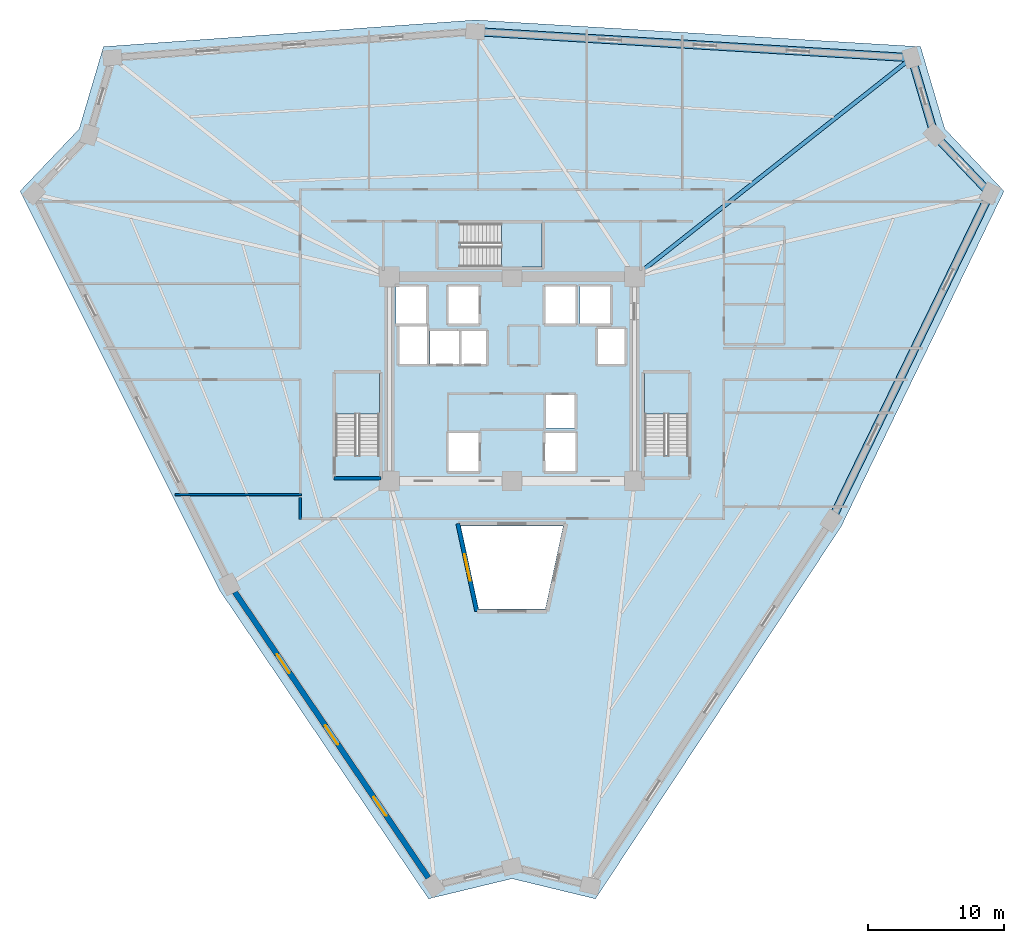
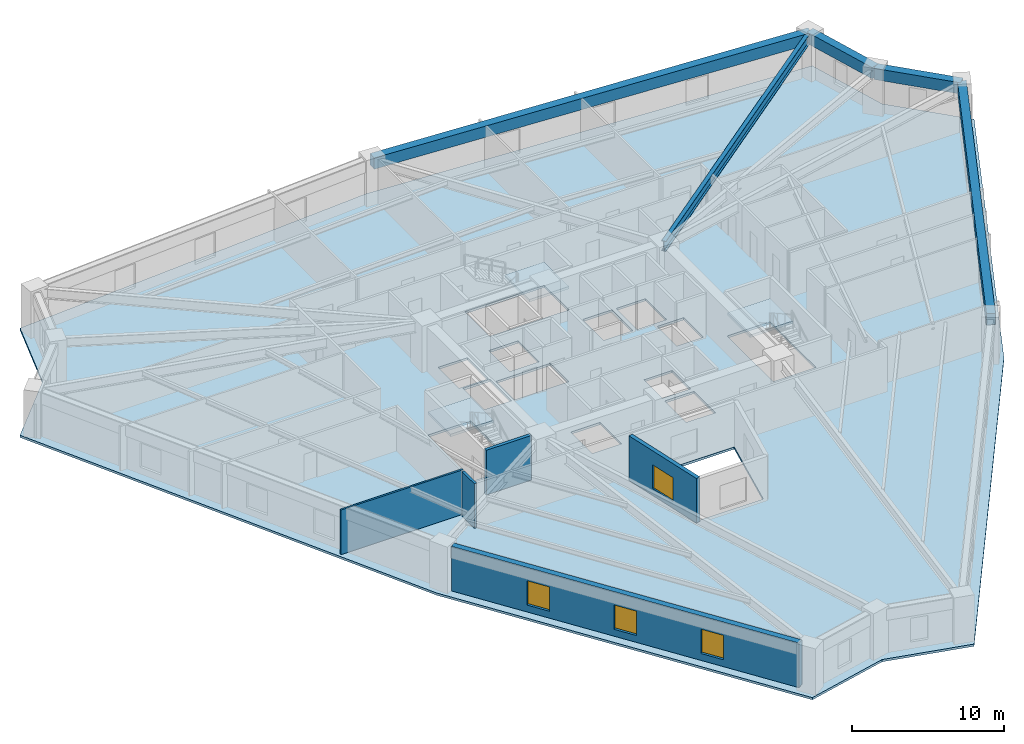
# One storey, part 2 of 8: 5 beams, 5 walls, 4 slabs, 4 windows, 4 openings, 3 elements without a shape of their own.
"""IFC4 building model written with IfcOpenShell, lengths in metres."""

import ifcopenshell
import ifcopenshell.guid

model = None  # the IFC model being written
_history = None  # IfcOwnerHistory: only IFC2X3 demands one
_inside = {}  # id of a spatial element -> (the spatial element, [elements in it])
_under = {}  # id of a project, library or spatial element -> (it, [spatial elements below it])
_declared = {}  # id of a project -> (the project, [libraries it declares])
_typed = {}  # id of a type object -> (the type object, [elements of that type])
_made_of = {}  # id of a material, layer set ... -> (it, [elements and type objects made of it])


def new_model(schema):
    """Start an empty IFC model of exactly this schema.

    Asked for "IFC4X3", IfcOpenShell would pick the latest addendum, in which some entities
    have other attributes; the version numbers below select the first issue.
    IFC2X3 requires an IfcOwnerHistory on every rooted entity: one is made here for all.
    """
    global model, _history
    if schema == "IFC4X3":
        model = ifcopenshell.file(schema_version=(4, 3, 0, 0))
    else:
        model = ifcopenshell.file(schema=schema)
    _inside.clear()
    _under.clear()
    _declared.clear()
    _typed.clear()
    _made_of.clear()
    _history = None
    if model.schema == "IFC2X3":
        org = make("IfcOrganization", Name="unknown")
        user = make(
            "IfcPersonAndOrganization",
            ThePerson=make("IfcPerson", FamilyName="unknown"),
            TheOrganization=org,
        )
        app = make(
            "IfcApplication",
            ApplicationDeveloper=org,
            Version="unknown",
            ApplicationFullName="unknown",
            ApplicationIdentifier="unknown",
        )
        _history = make(
            "IfcOwnerHistory",
            OwningUser=user,
            OwningApplication=app,
            ChangeAction="ADDED",
            CreationDate=0,
        )
    return model


def make(cls, **values):
    """One entity of the class cls with the attributes given. An attribute that is None is left unset."""
    return model.create_entity(
        cls, **{name: value for name, value in values.items() if value is not None}
    )


def rooted(cls, **values):
    """An entity with a GlobalId (a new one), such as an element, a storey or a relation."""
    return make(cls, GlobalId=ifcopenshell.guid.new(), OwnerHistory=_history, **values)


def si_unit(unit_type, name, prefix=None):
    """IfcSIUnit, for example si_unit("LENGTHUNIT", "METRE", prefix="MILLI")."""
    return make("IfcSIUnit", UnitType=unit_type, Prefix=prefix, Name=name)


def assignment(units):
    """IfcUnitAssignment: the units of a project."""
    return None if units is None else make("IfcUnitAssignment", Units=units)


def point(xyz):
    """IfcCartesianPoint."""
    return None if xyz is None else make("IfcCartesianPoint", Coordinates=xyz)


def direction(xyz):
    """IfcDirection."""
    return None if xyz is None else make("IfcDirection", DirectionRatios=xyz)


def frame(location, z_axis=None, x_axis=None):
    """IfcAxis2Placement3D, a coordinate frame: its origin and axes. An axis left out is left unset."""
    return make(
        "IfcAxis2Placement3D",
        Location=point(location),
        Axis=direction(z_axis),
        RefDirection=direction(x_axis),
    )


def frame_2d(location, x_axis=None):
    """IfcAxis2Placement2D, a coordinate frame in the plane: its origin and x axis."""
    return make(
        "IfcAxis2Placement2D", Location=point(location), RefDirection=direction(x_axis)
    )


def origin():
    """The frame at (0, 0, 0) with its axes left unset."""
    return frame((0.0, 0.0, 0.0))


def origin_2d():
    """The frame at (0, 0) in the plane with its x axis left unset."""
    return frame_2d((0.0, 0.0))


def place(relative_to, where):
    """IfcLocalPlacement: puts the frame where relative to a parent placement (None: the world)."""
    return make(
        "IfcLocalPlacement", PlacementRelTo=relative_to, RelativePlacement=where
    )


def context(
    kind, dimensions, precision=None, world=None, true_north=None, identifier=None
):
    """IfcGeometricRepresentationContext, for example the 3D "Model" context."""
    return make(
        "IfcGeometricRepresentationContext",
        ContextIdentifier=identifier,
        ContextType=kind,
        CoordinateSpaceDimension=dimensions,
        Precision=precision,
        WorldCoordinateSystem=world,
        TrueNorth=true_north,
    )


def subcontext(parent, identifier, kind, view, scale=None):
    """IfcGeometricRepresentationSubContext, for example "Body" below "Model"."""
    return make(
        "IfcGeometricRepresentationSubContext",
        ContextIdentifier=identifier,
        ContextType=kind,
        ParentContext=parent,
        TargetScale=scale,
        TargetView=view,
    )


def project(units=None, contexts=None):
    """IfcProject with its units and contexts."""
    return rooted(
        "IfcProject",
        Name="project",
        RepresentationContexts=contexts,
        UnitsInContext=assignment(units),
    )


def spatial(cls, under=None, at=None, **own):
    """A site, building, storey or space (cls), placed at a placement, below another one or the project."""
    s = rooted(cls, ObjectPlacement=at, **own)
    if under is not None:
        _under.setdefault(under.id(), (under, []))[1].append(s)
    return s


def polyline(points):
    """IfcPolyline through the points."""
    return make("IfcPolyline", Points=[point(p) for p in points])


def profile(cls, at=None, kind="AREA", **sizes):
    """A parametric profile (cls). Its sizes go by their IFC names, for example OverallWidth=200.0."""
    return make(cls, ProfileType=kind, Position=at, **sizes)


def rectangle(**sizes):
    """IfcRectangleProfileDef."""
    return profile("IfcRectangleProfileDef", **sizes)


def i_section(**sizes):
    """IfcIShapeProfileDef."""
    return profile("IfcIShapeProfileDef", **sizes)


def outline(outer, holes=None, kind="AREA"):
    """IfcArbitraryClosedProfileDef: a profile drawn as a closed curve; with holes, ...WithVoids."""
    if holes is None:
        return make("IfcArbitraryClosedProfileDef", ProfileType=kind, OuterCurve=outer)
    return make(
        "IfcArbitraryProfileDefWithVoids",
        ProfileType=kind,
        OuterCurve=outer,
        InnerCurves=holes,
    )


def extrude(swept, where, along, depth):
    """IfcExtrudedAreaSolid: the profile swept, set in the frame where, extruded along a direction by depth."""
    return make(
        "IfcExtrudedAreaSolid",
        SweptArea=swept,
        Position=where,
        ExtrudedDirection=direction(along),
        Depth=depth,
    )


def shape(context_of_items, identifier, shape_type, items):
    """IfcShapeRepresentation: the items that make up one representation, for example the "Body"."""
    return make(
        "IfcShapeRepresentation",
        ContextOfItems=context_of_items,
        RepresentationIdentifier=identifier,
        RepresentationType=shape_type,
        Items=items,
    )


def source(mapping_origin, context_of_items, identifier, shape_type, items):
    """IfcRepresentationMap: a shape defined once, which mapped items show again and again."""
    return make(
        "IfcRepresentationMap",
        MappingOrigin=mapping_origin,
        MappedRepresentation=shape(context_of_items, identifier, shape_type, items),
    )


def transform(
    local_origin,
    x_axis=None,
    y_axis=None,
    z_axis=None,
    scale=None,
    scale2=None,
    scale3=None,
    uniform=True,
):
    """IfcCartesianTransformationOperator3D, or its non-uniform kind. x_axis, y_axis, z_axis: its Axis1, 2, 3."""
    if uniform:
        return make(
            "IfcCartesianTransformationOperator3D",
            Axis1=direction(x_axis),
            Axis2=direction(y_axis),
            LocalOrigin=point(local_origin),
            Scale=scale,
            Axis3=direction(z_axis),
        )
    return make(
        "IfcCartesianTransformationOperator3DnonUniform",
        Axis1=direction(x_axis),
        Axis2=direction(y_axis),
        LocalOrigin=point(local_origin),
        Scale=scale,
        Axis3=direction(z_axis),
        Scale2=scale2,
        Scale3=scale3,
    )


def mapped(mapping_source, mapping_target):
    """IfcMappedItem: shows the shape of a source again, moved by a transform."""
    return make(
        "IfcMappedItem", MappingSource=mapping_source, MappingTarget=mapping_target
    )


def material(Name=None, Category=None):
    """IfcMaterial."""
    return make("IfcMaterial", Name=Name, Category=Category)


def layer(
    of_material, thickness, ventilated=None, Name=None, Category=None, Priority=None
):
    """IfcMaterialLayer: one layer of a wall or slab, of a material (None: an air gap)."""
    return make(
        "IfcMaterialLayer",
        Material=of_material,
        LayerThickness=thickness,
        IsVentilated=ventilated,
        Name=Name,
        Category=Category,
        Priority=Priority,
    )


def layer_set(layers, Name=None):
    """IfcMaterialLayerSet."""
    return make("IfcMaterialLayerSet", MaterialLayers=layers, LayerSetName=Name)


def material_profile(
    of_material, cross_section, Name=None, Category=None, Priority=None
):
    """IfcMaterialProfile: a cross section and its material."""
    return make(
        "IfcMaterialProfile",
        Name=Name,
        Material=of_material,
        Profile=cross_section,
        Priority=Priority,
        Category=Category,
    )


def profile_set(profiles, Name=None, composite=None):
    """IfcMaterialProfileSet."""
    return make(
        "IfcMaterialProfileSet",
        Name=Name,
        MaterialProfiles=profiles,
        CompositeProfile=composite,
    )


def made_of(thing, what):
    """Note that an element or type object is made of a material, layer set ...; save() writes the relation."""
    if what is not None:
        _made_of.setdefault(what.id(), (what, []))[1].append(thing)
    return thing


def type_object(cls, material=None, **own):
    """A type object (cls), such as IfcWallType, which elements share."""
    return made_of(rooted(cls, **own), material)


def element(
    cls,
    number,
    at=None,
    inside=None,
    cuts=None,
    type_object=None,
    material=None,
    context=None,
    identifier="Body",
    shape_type=None,
    held_by="IfcProductDefinitionShape",
    body=None,
    shapes=None,
    **own,
):
    """One element of the class cls, such as IfcWall. Its Tag is "e" and its number.

    at: its placement. inside: the storey or other place that contains it. cuts: it is an
    opening in that element (IfcRelVoidsElement). A single representation is given by context,
    identifier, shape_type and body (its items); several are given by shapes. held_by: the class
    of the entity that holds the representations. save() writes the other relations.
    """
    e = rooted(cls, Tag="e%d" % number, ObjectPlacement=at, **own)
    if body is not None:
        shapes = [shape(context, identifier, shape_type, body)]
    if shapes is not None:
        e.Representation = make(held_by, Representations=shapes)
    if inside is not None:
        _inside.setdefault(inside.id(), (inside, []))[1].append(e)
    if cuts is not None:
        rooted(
            "IfcRelVoidsElement", RelatingBuildingElement=cuts, RelatedOpeningElement=e
        )
    if type_object is not None:
        _typed.setdefault(type_object.id(), (type_object, []))[1].append(e)
    return made_of(e, material)


def fill(opening, filler):
    """IfcRelFillsElement: the door or window that sits in an opening."""
    return rooted(
        "IfcRelFillsElement",
        RelatingOpeningElement=opening,
        RelatedBuildingElement=filler,
    )


def aggregate(whole, parts):
    """IfcRelAggregates: a whole, such as a stair, and the parts it consists of."""
    return rooted("IfcRelAggregates", RelatingObject=whole, RelatedObjects=parts)


def save(model, path):
    """Write the relations noted so far, then the file.

    IfcRelAggregates (storeys below a building ...), IfcRelContainedInSpatialStructure (elements
    in a storey), IfcRelDefinesByType, IfcRelAssociatesMaterial and IfcRelDeclares: one each for
    every whole, place, type object, material and project.
    """
    for whole, parts in _under.values():
        aggregate(whole, parts)
    for where, things in _inside.values():
        rooted(
            "IfcRelContainedInSpatialStructure",
            RelatedElements=things,
            RelatingStructure=where,
        )
    for kind, things in _typed.values():
        rooted("IfcRelDefinesByType", RelatedObjects=things, RelatingType=kind)
    for what, things in _made_of.values():
        rooted("IfcRelAssociatesMaterial", RelatedObjects=things, RelatingMaterial=what)
    for by, libraries in _declared.values():
        rooted("IfcRelDeclares", RelatingContext=by, RelatedDefinitions=libraries)
    model.write(path)


model = new_model("IFC4")

# Units and contexts
model_context = context("Model", 3, precision=1e-05, world=origin(), true_north=direction((0.0, 1.0)))
body_context = subcontext(model_context, "Body", "Model", "MODEL_VIEW")
ifc_project = project(units=[si_unit("LENGTHUNIT", "METRE"), si_unit("AREAUNIT", "SQUARE_METRE"), si_unit("VOLUMEUNIT", "CUBIC_METRE"), si_unit("PLANEANGLEUNIT", "RADIAN"), si_unit("MASSUNIT", "GRAM", prefix="KILO")], contexts=[model_context])

# Site, building, storey
site_placement = place(None, origin())
site = spatial("IfcSite", under=ifc_project, at=site_placement, CompositionType="ELEMENT")
building_placement = place(site_placement, origin())
building = spatial("IfcBuilding", under=site, at=building_placement, Name="Liaohun Quay Tower", CompositionType="ELEMENT")
storey_placement = place(building_placement, frame((0.0, 0.0, 162.75)))
storey = spatial("IfcBuildingStorey", under=building, at=storey_placement, Name="L42", CompositionType="ELEMENT", Elevation=162.75)

# Beams
ifc_material_1 = material(Name="Precast concrete C55", Category="concrete")
ifc_material_profile_1 = material_profile(ifc_material_1, rectangle(XDim=0.60009765625, YDim=0.89990234375, at=origin_2d()), Name="RC600x900")
ifc_profile_set_1 = profile_set([ifc_material_profile_1], Name="Precast concrete C55")
beam_type_1 = type_object("IfcBeamType", Name="BM-SPD-Z2", PredefinedType="SPANDREL", material=ifc_profile_set_1)
shared_shape_1 = source(origin(), body_context, "Body", "SweptSolid", [
    extrude(rectangle(XDim=0.60009765625, YDim=0.89990234375, at=origin_2d()), origin(), (0.0, 0.0, 1.0), 32.109375),
])
beam_1_placement = place(storey_placement, frame((57.304931640625, 79.5048828125, 3.1201171875), z_axis=(0.998210795358, -0.059793043338, 0.0), x_axis=(0.059793043338, 0.998210795358, 0.0)))
element("IfcBeam", 1, at=beam_1_placement, inside=storey, type_object=beam_type_1, Name="L42 Precast Spandrel Beam PC06-PC07", PredefinedType="SPANDREL", context=body_context, shape_type="MappedRepresentation", body=[
    mapped(shared_shape_1, transform((0.0, 0.0, 0.0), x_axis=(1.0, 0.0, 0.0), y_axis=(0.0, 1.0, 0.0), z_axis=(0.0, 0.0, 1.0), scale=1.0)),
])
shared_shape_2 = source(origin(), body_context, "Body", "SweptSolid", [
    extrude(rectangle(XDim=0.60009765625, YDim=0.89990234375, at=origin_2d()), origin(), (0.0, 0.0, 1.0), 5.911376953125),
])
beam_2_placement = place(storey_placement, frame((89.35693359375, 77.5849609375, 3.1201171875), z_axis=(0.282866118906, -0.959159402172, 0.0), x_axis=(0.959159402172, 0.282866118906, 0.0)))
element("IfcBeam", 2, at=beam_2_placement, inside=storey, type_object=beam_type_1, Name="L42 Precast Spandrel Beam PC07-PC08", PredefinedType="SPANDREL", context=body_context, shape_type="MappedRepresentation", body=[
    mapped(shared_shape_2, transform((0.0, 0.0, 0.0), x_axis=(1.0, 0.0, 0.0), y_axis=(0.0, 1.0, 0.0), z_axis=(0.0, 0.0, 1.0), scale=1.0)),
])
shared_shape_3 = source(origin(), body_context, "Body", "SweptSolid", [
    extrude(rectangle(XDim=0.60009765625, YDim=0.89990234375, at=origin_2d()), origin(), (0.0, 0.0, 1.0), 5.92041015625),
])
beam_3_placement = place(storey_placement, frame((91.029052734375, 71.9150390625, 3.1201171875), z_axis=(0.689321474859, -0.724455591668, 0.0), x_axis=(0.724455591668, 0.689321474859, 0.0)))
element("IfcBeam", 3, at=beam_3_placement, inside=storey, type_object=beam_type_1, Name="L42 Precast Spandrel Beam PC08-PC09", PredefinedType="SPANDREL", context=body_context, shape_type="MappedRepresentation", body=[
    mapped(shared_shape_3, transform((0.0, 0.0, 0.0), x_axis=(1.0, 0.0, 0.0), y_axis=(0.0, 1.0, 0.0), z_axis=(0.0, 0.0, 1.0), scale=1.0)),
])
shared_shape_4 = source(origin(), body_context, "Body", "SweptSolid", [
    extrude(rectangle(XDim=0.60009765625, YDim=0.89990234375, at=origin_2d()), origin(), (0.0, 0.0, 1.0), 26.728271484375),
])
beam_4_placement = place(storey_placement, frame((95.110107421875, 67.6259765625, 3.1201171875), z_axis=(-0.436770293238, -0.899573071487, 0.0), x_axis=(0.899573071487, -0.436770293238, 0.0)))
element("IfcBeam", 4, at=beam_4_placement, inside=storey, type_object=beam_type_1, Name="L42 Precast Spandrel Beam PC09-PC10", PredefinedType="SPANDREL", context=body_context, shape_type="MappedRepresentation", body=[
    mapped(shared_shape_4, transform((0.0, 0.0, 0.0), x_axis=(1.0, 0.0, 0.0), y_axis=(0.0, 1.0, 0.0), z_axis=(0.0, 0.0, 1.0), scale=1.0)),
])
ifc_material_2 = material(Name="Steel Q355D", Category="steel")
ifc_material_profile_2 = material_profile(ifc_material_2, i_section(OverallWidth=0.300048828125, OverallDepth=0.800048828125, WebThickness=0.013916015625, FlangeThickness=0.02587890625, at=origin_2d()), Name="HN800x300x14x26")
ifc_profile_set_2 = profile_set([ifc_material_profile_2], Name="Steel Q355D")
beam_type_2 = type_object("IfcBeamType", Name="BM-RAD-M1", PredefinedType="BEAM", material=ifc_profile_set_2)
shared_shape_5 = source(origin(), body_context, "Body", "SweptSolid", [
    extrude(i_section(OverallWidth=0.300048828125, OverallDepth=0.800048828125, WebThickness=0.013916015625, FlangeThickness=0.02587890625, at=origin_2d()), origin(), (0.0, 0.0, 1.0), 25.60009765625),
])
beam_5_placement = place(storey_placement, frame((69.0, 61.5, 3.169921875), z_axis=(0.784728949554, 0.619839072447, 0.0), x_axis=(-0.619839072447, 0.784728949554, 0.0)))
element("IfcBeam", 5, at=beam_5_placement, inside=storey, type_object=beam_type_2, Name="L42 Radial Primary Girder CC4-PC07", PredefinedType="BEAM", context=body_context, shape_type="MappedRepresentation", body=[
    mapped(shared_shape_5, transform((0.0, 0.0, 0.0), x_axis=(1.0, 0.0, 0.0), y_axis=(0.0, 1.0, 0.0), z_axis=(0.0, 0.0, 1.0), scale=1.0)),
])

# Stair, slab
ifc_material_3 = material(Name="Concrete C45", Category="concrete")
stair_type = type_object("IfcStairType", Name="STR-CORE-OFF", PredefinedType="HALF_TURN_STAIR", material=ifc_material_3)
stair_1_placement = place(storey_placement, origin())
stair_1 = element("IfcStair", 6, at=stair_1_placement, inside=storey, type_object=stair_type, Name="L42 Smokeproof Core Exit Stair ST-1", PredefinedType="HALF_TURN_STAIR")
ifc_layer_1 = layer(ifc_material_3, 0.199951171875, Name="Concrete C45", Category="concrete")
ifc_layer_set_1 = layer_set([ifc_layer_1], Name="Concrete C45")
slab_type_1 = type_object("IfcSlabType", Name="SLB-LND-200", PredefinedType="LANDING", material=ifc_layer_set_1)
slab_1_placement = place(storey_placement, frame((0.0, 0.0, 1.675048828125)))
slab_1 = element("IfcSlab", 7, at=slab_1_placement, type_object=slab_type_1, Name="ST-1 landing 1", PredefinedType="LANDING", context=body_context, shape_type="SweptSolid", body=[
    extrude(outline(polyline([(50.280029296875, 51.429931640625), (50.280029296875, 54.419921875), (47.0400390625, 54.419921875), (47.0400390625, 51.429931640625), (50.280029296875, 51.429931640625)])), origin(), (0.0, 0.0, 1.0), 0.199951171875),
])
aggregate(stair_1, [slab_1])

stair_2_placement = place(storey_placement, origin())
stair_2 = element("IfcStair", 8, at=stair_2_placement, inside=storey, type_object=stair_type, Name="L42 Smokeproof Core Exit Stair ST-2", PredefinedType="HALF_TURN_STAIR")
slab_2_placement = place(storey_placement, frame((0.0, 0.0, 1.675048828125)))
slab_2 = element("IfcSlab", 9, at=slab_2_placement, type_object=slab_type_1, Name="ST-2 landing 1", PredefinedType="LANDING", context=body_context, shape_type="SweptSolid", body=[
    extrude(outline(polyline([(72.9599609375, 51.429931640625), (72.9599609375, 54.419921875), (69.719970703125, 54.419921875), (69.719970703125, 51.429931640625), (72.9599609375, 51.429931640625)])), origin(), (0.0, 0.0, 1.0), 0.199951171875),
])
aggregate(stair_2, [slab_2])

stair_3_placement = place(storey_placement, origin())
stair_3 = element("IfcStair", 10, at=stair_3_placement, inside=storey, type_object=stair_type, Name="L42 Smokeproof Core Exit Stair ST-3", PredefinedType="HALF_TURN_STAIR")
slab_3_placement = place(storey_placement, frame((0.0, 0.0, 1.675048828125)))
slab_3 = element("IfcSlab", 11, at=slab_3_placement, type_object=slab_type_1, Name="ST-3 landing 1", PredefinedType="LANDING", context=body_context, shape_type="SweptSolid", body=[
    extrude(outline(polyline([(59.22998046875, 62.199951171875), (62.219970703125, 62.199951171875), (62.219970703125, 65.43994140625), (59.22998046875, 65.43994140625), (59.22998046875, 62.199951171875)])), origin(), (0.0, 0.0, 1.0), 0.199951171875),
])
aggregate(stair_3, [slab_3])

# Slab
ifc_layer_2 = layer(ifc_material_3, 0.179931640625, Name="Concrete C45", Category="concrete")
ifc_layer_set_2 = layer_set([ifc_layer_2], Name="Concrete C45")
slab_type_2 = type_object("IfcSlabType", Name="SLB-OFF-180", PredefinedType="FLOOR", material=ifc_layer_set_2)
slab_4_placement = place(storey_placement, frame((0.0, 0.0, -0.179931640625)))
element("IfcSlab", 12, at=slab_4_placement, inside=storey, type_object=slab_type_2, Name="L42 Structural Floor Slab", PredefinedType="FLOOR", context=body_context, shape_type="SweptSolid", body=[
    extrude(outline(polyline([(53.8720703125, 15.81689453125), (60.0, 17.297119140625), (66.1279296875, 15.81689453125), (84.176025390625, 43.159912109375), (96.132080078125, 67.784912109375), (91.785888671875, 72.35205078125), (90.00390625, 78.39794921875), (57.300048828125, 80.35693359375), (29.99609375, 78.39794921875), (28.214111328125, 72.35205078125), (23.867919921875, 67.784912109375), (38.52490234375, 38.48291015625), (53.8720703125, 15.81689453125)]), holes=[polyline([(57.56005859375, 50.030029296875), (55.340087890625, 50.030029296875), (55.340087890625, 47.2099609375), (57.56005859375, 47.2099609375), (57.56005859375, 50.030029296875)]), polyline([(50.280029296875, 54.419921875), (47.0400390625, 54.419921875), (47.0400390625, 48.409912109375), (50.280029296875, 48.409912109375), (50.280029296875, 54.419921875)]), polyline([(53.989990234375, 55.090087890625), (58.110107421875, 55.090087890625), (58.110107421875, 57.510009765625), (53.989990234375, 57.510009765625), (53.989990234375, 55.090087890625)]), polyline([(53.760009765625, 55.090087890625), (53.760009765625, 57.909912109375), (51.7099609375, 57.909912109375), (51.7099609375, 55.090087890625), (53.760009765625, 55.090087890625)]), polyline([(53.7099609375, 58.0400390625), (53.7099609375, 60.7900390625), (51.489990234375, 60.7900390625), (51.489990234375, 58.0400390625), (53.7099609375, 58.0400390625)]), polyline([(57.56005859375, 58.0400390625), (57.56005859375, 60.7900390625), (55.340087890625, 60.7900390625), (55.340087890625, 58.0400390625), (57.56005859375, 58.0400390625)]), polyline([(62.219970703125, 62.199951171875), (62.219970703125, 65.43994140625), (56.2099609375, 65.43994140625), (56.2099609375, 62.199951171875), (62.219970703125, 62.199951171875)]), polyline([(62.448974609375, 37.10009765625), (63.76708984375, 43.199951171875), (56.23291015625, 43.199951171875), (57.551025390625, 37.10009765625), (62.448974609375, 37.10009765625)]), polyline([(64.659912109375, 47.2099609375), (64.659912109375, 50.030029296875), (62.43994140625, 50.030029296875), (62.43994140625, 47.2099609375), (64.659912109375, 47.2099609375)]), polyline([(72.9599609375, 54.419921875), (69.719970703125, 54.419921875), (69.719970703125, 48.409912109375), (72.9599609375, 48.409912109375), (72.9599609375, 54.419921875)]), polyline([(64.610107421875, 50.389892578125), (64.610107421875, 52.81005859375), (62.489990234375, 52.81005859375), (62.489990234375, 50.389892578125), (64.610107421875, 50.389892578125)]), polyline([(68.2900390625, 55.090087890625), (68.2900390625, 57.659912109375), (66.2900390625, 57.659912109375), (66.2900390625, 55.090087890625), (68.2900390625, 55.090087890625)]), polyline([(64.659912109375, 58.0400390625), (64.659912109375, 60.7900390625), (62.43994140625, 60.7900390625), (62.43994140625, 58.0400390625), (64.659912109375, 58.0400390625)]), polyline([(67.2099609375, 58.0400390625), (67.2099609375, 60.7900390625), (64.989990234375, 60.7900390625), (64.989990234375, 58.0400390625), (67.2099609375, 58.0400390625)])]), origin(), (0.0, 0.0, 1.0), 0.179931640625),
])

# Wall, opening, window
ifc_material_4 = material(Name="Concrete C50", Category="concrete")
ifc_layer_3 = layer(ifc_material_4, 0.300048828125, Name="Concrete C50", Category="concrete")
ifc_layer_set_3 = layer_set([ifc_layer_3], Name="Concrete C50")
wall_type_1 = type_object("IfcWallType", Name="WAL-ATR-300", PredefinedType="SOLIDWALL", material=ifc_layer_set_3)
wall_1_placement = place(storey_placement, frame((57.4140625, 36.929931640625, 0.0), z_axis=(0.0, 0.0, 1.0), x_axis=(-0.211277302898, 0.977426161549, 0.0)))
wall_1 = element("IfcWall", 13, at=wall_1_placement, inside=storey, type_object=wall_type_1, Name="L42 Atrium Fire Compartment Wall 1", PredefinedType="SOLIDWALL", context=body_context, shape_type="SweptSolid", body=[
    extrude(rectangle(XDim=6.5888671875, YDim=0.300048828125, at=frame_2d((3.29443359375, 0.0))), origin(), (0.0, 0.0, 1.0), 3.570068359375),
])
shared_shape_6 = source(origin(), body_context, "Body", "SweptSolid", [
    extrude(rectangle(XDim=2.0, YDim=1.89990234375, at=frame_2d((1.0, 0.949951171875))), frame((0.0, 0.159912109375, 0.0), z_axis=(0.0, -1.0, 0.0), x_axis=(1.0, 0.0, 0.0)), (0.0, 0.0, 1.0), 0.320068359375),
])
opening_1_placement = place(wall_1_placement, frame((2.2939453125, 0.0, 0.550048828125)))
opening_1 = element("IfcOpeningElement", 14, at=opening_1_placement, cuts=wall_1, Name="Opening W07", PredefinedType="OPENING", context=body_context, shape_type="MappedRepresentation", body=[
    mapped(shared_shape_6, transform((0.0, 0.0, 0.0), x_axis=(1.0, 0.0, 0.0), y_axis=(0.0, 1.0, 0.0), z_axis=(0.0, 0.0, 1.0), scale=1.0)),
])
ifc_material_5 = material(Name="Class A 180-min fire-resistant insulated glazing", Category="glass")
window_type_1 = type_object("IfcWindowType", Name="WIN-ATR-FIR", PartitioningType="DOUBLE_PANEL_VERTICAL", PredefinedType="WINDOW", material=ifc_material_5)
shared_shape_7 = source(origin(), body_context, "Body", "SweptSolid", [
    extrude(rectangle(XDim=2.0, YDim=1.89990234375, at=frame_2d((1.0, 0.949951171875))), frame((0.0, 0.030029296875, 0.0), z_axis=(0.0, -1.0, 0.0), x_axis=(1.0, 0.0, 0.0)), (0.0, 0.0, 1.0), 0.06005859375),
])
window_1_placement = place(opening_1_placement, origin())
window_1 = element("IfcWindow", 15, at=window_1_placement, inside=storey, type_object=window_type_1, Name="L42 Atrium Fire-Resistant Glazing W07-1", OverallHeight=1.89990234375, OverallWidth=2.0, PartitioningType="DOUBLE_PANEL_VERTICAL", PredefinedType="WINDOW", context=body_context, shape_type="MappedRepresentation", body=[
    mapped(shared_shape_7, transform((0.0, 0.0, 0.0), x_axis=(1.0, 0.0, 0.0), y_axis=(0.0, 1.0, 0.0), z_axis=(0.0, 0.0, 1.0), scale=1.0)),
])
fill(opening_1, window_1)

# Wall, openings, windows
ifc_material_6 = material(Name="Precast concrete C50 insulated sandwich", Category="concrete")
ifc_layer_4 = layer(ifc_material_6, 0.419921875, Name="Precast concrete C50 insulated sandwich", Category="concrete")
ifc_layer_set_4 = layer_set([ifc_layer_4], Name="Precast concrete C50 insulated sandwich")
wall_type_2 = type_object("IfcWallType", Name="WAL-EXT-Z12", PredefinedType="SOLIDWALL", material=ifc_layer_set_4)
wall_2_placement = place(storey_placement, frame((39.64697265625, 38.342041015625, 0.0), z_axis=(0.0, 0.0, 1.0), x_axis=(0.560647296893, -0.828054713462, 0.0)))
wall_2 = element("IfcWall", 16, at=wall_2_placement, inside=storey, type_object=wall_type_2, Name="L42 Brutalist Precast Pier Wall 11", PredefinedType="SOLIDWALL", context=body_context, shape_type="SweptSolid", body=[
    extrude(rectangle(XDim=25.347412109375, YDim=0.419921875, at=frame_2d((12.673828125, 0.0))), origin(), (0.0, 0.0, 1.0), 3.570068359375),
])
shared_shape_8 = source(origin(), body_context, "Body", "SweptSolid", [
    extrude(rectangle(XDim=1.64990234375, YDim=1.949951171875, at=frame_2d((0.824951171875, 0.97509765625))), frame((0.0, 0.219970703125, 0.0), z_axis=(0.0, -1.0, 0.0), x_axis=(1.0, 0.0, 0.0)), (0.0, 0.0, 1.0), 0.43994140625),
])
opening_2_placement = place(wall_2_placement, frame((5.511962890625, 0.0, 0.550048828125)))
opening_2 = element("IfcOpeningElement", 17, at=opening_2_placement, cuts=wall_2, Name="Opening W02", PredefinedType="OPENING", context=body_context, shape_type="MappedRepresentation", body=[
    mapped(shared_shape_8, transform((0.0, 0.0, 0.0), x_axis=(1.0, 0.0, 0.0), y_axis=(0.0, 1.0, 0.0), z_axis=(0.0, 0.0, 1.0), scale=1.0)),
])
opening_3_placement = place(wall_2_placement, frame((11.84912109375, 0.0, 0.550048828125)))
opening_3 = element("IfcOpeningElement", 18, at=opening_3_placement, cuts=wall_2, Name="Opening W02", PredefinedType="OPENING", context=body_context, shape_type="MappedRepresentation", body=[
    mapped(shared_shape_8, transform((0.0, 0.0, 0.0), x_axis=(1.0, 0.0, 0.0), y_axis=(0.0, 1.0, 0.0), z_axis=(0.0, 0.0, 1.0), scale=1.0)),
])
opening_4_placement = place(wall_2_placement, frame((18.18603515625, 0.0, 0.550048828125)))
opening_4 = element("IfcOpeningElement", 19, at=opening_4_placement, cuts=wall_2, Name="Opening W02", PredefinedType="OPENING", context=body_context, shape_type="MappedRepresentation", body=[
    mapped(shared_shape_8, transform((0.0, 0.0, 0.0), x_axis=(1.0, 0.0, 0.0), y_axis=(0.0, 1.0, 0.0), z_axis=(0.0, 0.0, 1.0), scale=1.0)),
])
ifc_material_7 = material(Name="Triple Low-E argon glazing in thermally broken aluminium", Category="aluminium")
window_type_2 = type_object("IfcWindowType", Name="WIN-PUN-Z2", PartitioningType="DOUBLE_PANEL_VERTICAL", PredefinedType="WINDOW", material=ifc_material_7)
shared_shape_9 = source(origin(), body_context, "Body", "SweptSolid", [
    extrude(rectangle(XDim=1.64990234375, YDim=1.949951171875, at=frame_2d((0.824951171875, 0.97509765625))), frame((0.0, 0.030029296875, 0.0), z_axis=(0.0, -1.0, 0.0), x_axis=(1.0, 0.0, 0.0)), (0.0, 0.0, 1.0), 0.06005859375),
])
window_2_placement = place(opening_2_placement, origin())
window_2 = element("IfcWindow", 20, at=window_2_placement, inside=storey, type_object=window_type_2, Name="L42 Recessed Cold-Climate Punched Window 11-1", OverallHeight=1.949951171875, OverallWidth=1.64990234375, PartitioningType="DOUBLE_PANEL_VERTICAL", PredefinedType="WINDOW", context=body_context, shape_type="MappedRepresentation", body=[
    mapped(shared_shape_9, transform((0.0, 0.0, 0.0), x_axis=(1.0, 0.0, 0.0), y_axis=(0.0, 1.0, 0.0), z_axis=(0.0, 0.0, 1.0), scale=1.0)),
])
fill(opening_2, window_2)
window_3_placement = place(opening_3_placement, origin())
window_3 = element("IfcWindow", 21, at=window_3_placement, inside=storey, type_object=window_type_2, Name="L42 Recessed Cold-Climate Punched Window 11-2", OverallHeight=1.949951171875, OverallWidth=1.64990234375, PartitioningType="DOUBLE_PANEL_VERTICAL", PredefinedType="WINDOW", context=body_context, shape_type="MappedRepresentation", body=[
    mapped(shared_shape_9, transform((0.0, 0.0, 0.0), x_axis=(1.0, 0.0, 0.0), y_axis=(0.0, 1.0, 0.0), z_axis=(0.0, 0.0, 1.0), scale=1.0)),
])
fill(opening_3, window_3)
window_4_placement = place(opening_4_placement, origin())
window_4 = element("IfcWindow", 22, at=window_4_placement, inside=storey, type_object=window_type_2, Name="L42 Recessed Cold-Climate Punched Window 11-3", OverallHeight=1.949951171875, OverallWidth=1.64990234375, PartitioningType="DOUBLE_PANEL_VERTICAL", PredefinedType="WINDOW", context=body_context, shape_type="MappedRepresentation", body=[
    mapped(shared_shape_9, transform((0.0, 0.0, 0.0), x_axis=(1.0, 0.0, 0.0), y_axis=(0.0, 1.0, 0.0), z_axis=(0.0, 0.0, 1.0), scale=1.0)),
])
fill(opening_4, window_4)

# Walls
ifc_material_8 = material(Name="Autoclaved aerated concrete blockwork", Category="masonry")
ifc_layer_5 = layer(ifc_material_8, 0.179931640625, Name="Autoclaved aerated concrete blockwork", Category="masonry")
ifc_layer_set_5 = layer_set([ifc_layer_5], Name="Autoclaved aerated concrete blockwork")
wall_type_3 = type_object("IfcWallType", Name="WAL-PRT-COR", PredefinedType="PARTITIONING", material=ifc_layer_set_5)
wall_3_placement = place(storey_placement, frame((44.43994140625, 43.669921875, 0.0), z_axis=(0.0, 0.0, 1.0), x_axis=(0.0, 1.0, 0.0)))
element("IfcWall", 23, at=wall_3_placement, inside=storey, type_object=wall_type_3, Name="L42 Interior Partition Wall 037", PredefinedType="PARTITIONING", context=body_context, shape_type="SweptSolid", body=[
    extrude(rectangle(XDim=1.614990234375, YDim=0.179931640625, at=frame_2d((0.8076171875, 0.0))), origin(), (0.0, 0.0, 1.0), 3.570068359375),
])
ifc_material_9 = material(Name="Gypsum board on twin steel studs", Category="steel")
ifc_layer_6 = layer(ifc_material_9, 0.139892578125, Name="Gypsum board on twin steel studs", Category="steel")
ifc_layer_set_6 = layer_set([ifc_layer_6], Name="Gypsum board on twin steel studs")
wall_type_4 = type_object("IfcWallType", Name="WAL-PRT-OFF", PredefinedType="PARTITIONING", material=ifc_layer_set_6)
wall_4_placement = place(storey_placement, frame((44.5400390625, 45.5, 0.0), z_axis=(0.0, 0.0, 1.0), x_axis=(-1.0, 0.0, 0.0)))
element("IfcWall", 24, at=wall_4_placement, inside=storey, type_object=wall_type_4, Name="L42 Interior Partition Wall 040", PredefinedType="PARTITIONING", context=body_context, shape_type="SweptSolid", body=[
    extrude(rectangle(XDim=9.279052734375, YDim=0.139892578125, at=frame_2d((4.6396484375, 0.0))), origin(), (0.0, 0.0, 1.0), 3.570068359375),
])
ifc_layer_7 = layer(ifc_material_4, 0.239990234375, Name="Concrete C50", Category="concrete")
ifc_layer_set_7 = layer_set([ifc_layer_7], Name="Concrete C50")
wall_type_5 = type_object("IfcWallType", Name="WAL-SHF-200", PredefinedType="SOLIDWALL", material=ifc_layer_set_7)
wall_5_placement = place(storey_placement, frame((46.93994140625, 46.699951171875, 0.0), z_axis=(0.0, 0.0, 1.0), x_axis=(1.0, 0.0, 0.0)))
element("IfcWall", 25, at=wall_5_placement, inside=storey, type_object=wall_type_5, Name="L42 Stairwell ST-1 Structural Core Wall S", PredefinedType="SOLIDWALL", context=body_context, shape_type="SweptSolid", body=[
    extrude(rectangle(XDim=3.43994140625, YDim=0.239990234375, at=frame_2d((1.719970703125, 0.0))), origin(), (0.0, 0.0, 1.0), 3.570068359375),
])

save(model, "model.ifc")
